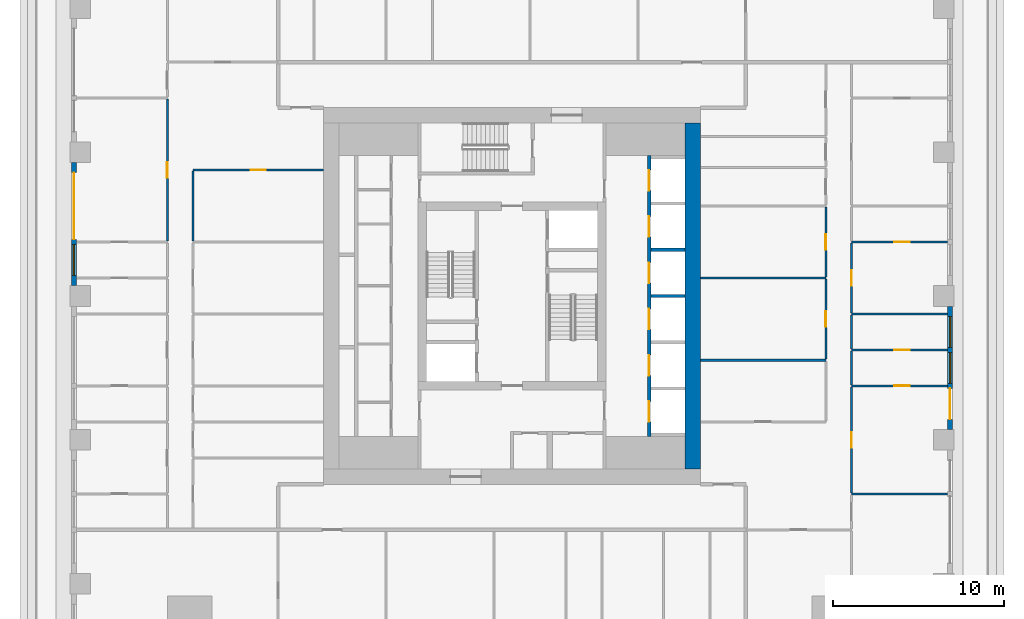
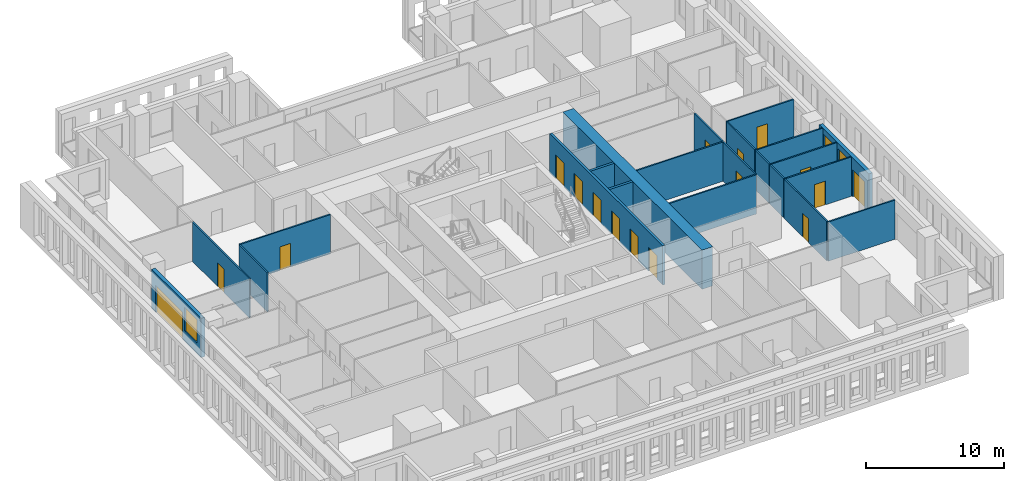
# One storey, part 6 of 16: 22 walls, 17 doors, 3 windows, 20 openings.
"""IFC4 building model written with IfcOpenShell, lengths in metres."""

from ifc_helpers import new_model, si_unit, direction, frame, frame_2d, origin, place, context, subcontext, project, spatial, rectangle, extrude, material, layer, layer_set, type_object, element, fill, save


model = new_model("IFC4")

# Units and contexts
model_context = context("Model", 3, precision=1e-05, world=origin(), true_north=direction((0.0, 1.0)))
body_context = subcontext(model_context, "Body", "Model", "MODEL_VIEW")
ifc_project = project(units=[si_unit("LENGTHUNIT", "METRE"), si_unit("AREAUNIT", "SQUARE_METRE"), si_unit("VOLUMEUNIT", "CUBIC_METRE"), si_unit("PLANEANGLEUNIT", "RADIAN"), si_unit("MASSUNIT", "GRAM", prefix="KILO")], contexts=[model_context])

# Site, building, storey
site_placement = place(None, origin())
site = spatial("IfcSite", under=ifc_project, at=site_placement, CompositionType="ELEMENT")
building_placement = place(site_placement, origin())
building = spatial("IfcBuilding", under=site, at=building_placement, Name="Khepri Terraces", CompositionType="ELEMENT")
storey_placement = place(building_placement, frame((0.0, 0.0, 153.300048828125)))
storey = spatial("IfcBuildingStorey", under=building, at=storey_placement, Name="L36", CompositionType="ELEMENT", Elevation=153.300048828125)

# Wall, openings, doors
ifc_material_1 = material(Name="Concrete C60/75", Category="concrete")
ifc_layer_1 = layer(ifc_material_1, 0.199951171875, Name="Concrete C60/75", Category="concrete")
ifc_layer_set_1 = layer_set([ifc_layer_1], Name="Concrete C60/75")
wall_type_1 = type_object("IfcWallType", Name="Core wall 200 C60/75", PredefinedType="SHEAR", material=ifc_layer_set_1)
wall_1_placement = place(storey_placement, frame((8.0, -8.199951171875, 0.0), z_axis=(0.0, 0.0, 1.0), x_axis=(0.0, 1.0, 0.0)))
wall_1 = element("IfcWall", 1, at=wall_1_placement, inside=storey, type_object=wall_type_1, Name="Core wall SH02 L36", PredefinedType="SHEAR", context=body_context, shape_type="SweptSolid", body=[
    extrude(rectangle(XDim=16.39990234375, YDim=0.199951171875, at=frame_2d((8.199951171875, 0.0))), origin(), (0.0, 0.0, 1.0), 3.47998046875),
])
opening_1_placement = place(wall_1_placement, frame((0.85009765625, 0.0, 0.0)))
opening_1 = element("IfcOpeningElement", 2, at=opening_1_placement, cuts=wall_1, Name="Opening L36-C01", PredefinedType="OPENING", context=body_context, shape_type="SweptSolid", body=[
    extrude(rectangle(XDim=1.199951171875, YDim=2.10009765625, at=frame_2d((0.60009765625, 1.050048828125))), frame((0.0, 0.10986328125, 0.0), z_axis=(0.0, -1.0, 0.0), x_axis=(1.0, 0.0, 0.0)), (0.0, 0.0, 1.0), 0.219970703125),
])
opening_2_placement = place(wall_1_placement, frame((3.550048828125, 0.0, 0.0)))
opening_2 = element("IfcOpeningElement", 3, at=opening_2_placement, cuts=wall_1, Name="Opening L36-C02", PredefinedType="OPENING", context=body_context, shape_type="SweptSolid", body=[
    extrude(rectangle(XDim=1.199951171875, YDim=2.10009765625, at=frame_2d((0.60009765625, 1.050048828125))), frame((0.0, 0.10986328125, 0.0), z_axis=(0.0, -1.0, 0.0), x_axis=(1.0, 0.0, 0.0)), (0.0, 0.0, 1.0), 0.219970703125),
])
opening_3_placement = place(wall_1_placement, frame((6.25, 0.0, 0.0)))
opening_3 = element("IfcOpeningElement", 4, at=opening_3_placement, cuts=wall_1, Name="Opening L36-C03", PredefinedType="OPENING", context=body_context, shape_type="SweptSolid", body=[
    extrude(rectangle(XDim=1.199951171875, YDim=2.10009765625, at=frame_2d((0.60009765625, 1.050048828125))), frame((0.0, 0.10986328125, 0.0), z_axis=(0.0, -1.0, 0.0), x_axis=(1.0, 0.0, 0.0)), (0.0, 0.0, 1.0), 0.219970703125),
])
opening_4_placement = place(wall_1_placement, frame((8.949951171875, 0.0, 0.0)))
opening_4 = element("IfcOpeningElement", 5, at=opening_4_placement, cuts=wall_1, Name="Opening L36-C04", PredefinedType="OPENING", context=body_context, shape_type="SweptSolid", body=[
    extrude(rectangle(XDim=1.199951171875, YDim=2.10009765625, at=frame_2d((0.60009765625, 1.050048828125))), frame((0.0, 0.10986328125, 0.0), z_axis=(0.0, -1.0, 0.0), x_axis=(1.0, 0.0, 0.0)), (0.0, 0.0, 1.0), 0.219970703125),
])
opening_5_placement = place(wall_1_placement, frame((11.64990234375, 0.0, 0.0)))
opening_5 = element("IfcOpeningElement", 6, at=opening_5_placement, cuts=wall_1, Name="Opening L36-C05", PredefinedType="OPENING", context=body_context, shape_type="SweptSolid", body=[
    extrude(rectangle(XDim=1.199951171875, YDim=2.10009765625, at=frame_2d((0.60009765625, 1.050048828125))), frame((0.0, 0.10986328125, 0.0), z_axis=(0.0, -1.0, 0.0), x_axis=(1.0, 0.0, 0.0)), (0.0, 0.0, 1.0), 0.219970703125),
])
opening_6_placement = place(wall_1_placement, frame((14.35009765625, 0.0, 0.0)))
opening_6 = element("IfcOpeningElement", 7, at=opening_6_placement, cuts=wall_1, Name="Opening L36-C06", PredefinedType="OPENING", context=body_context, shape_type="SweptSolid", body=[
    extrude(rectangle(XDim=1.199951171875, YDim=2.10009765625, at=frame_2d((0.60009765625, 1.050048828125))), frame((0.0, 0.10986328125, 0.0), z_axis=(0.0, -1.0, 0.0), x_axis=(1.0, 0.0, 0.0)), (0.0, 0.0, 1.0), 0.219970703125),
])
ifc_material_2 = material(Name="Stainless steel 304", Category="steel")
door_type_1 = type_object("IfcDoorType", Name="DR-CORE-LANDING-1200", OperationType="NOTDEFINED", PredefinedType="DOOR", material=ifc_material_2)
door_1_placement = place(opening_1_placement, origin())
door_1 = element("IfcDoor", 8, at=door_1_placement, inside=storey, type_object=door_type_1, Name="Lift landing door L36-C01", OperationType="SLIDING_TO_LEFT", OverallHeight=2.10009765625, OverallWidth=1.199951171875, PredefinedType="DOOR", context=body_context, shape_type="SweptSolid", body=[
    extrude(rectangle(XDim=1.199951171875, YDim=2.10009765625, at=frame_2d((0.60009765625, 1.050048828125))), frame((0.0, 0.02490234375, 0.0), z_axis=(0.0, -1.0, 0.0), x_axis=(1.0, 0.0, 0.0)), (0.0, 0.0, 1.0), 0.050048828125),
])
fill(opening_1, door_1)
door_2_placement = place(opening_2_placement, origin())
door_2 = element("IfcDoor", 9, at=door_2_placement, inside=storey, type_object=door_type_1, Name="Lift landing door L36-C02", OperationType="SLIDING_TO_LEFT", OverallHeight=2.10009765625, OverallWidth=1.199951171875, PredefinedType="DOOR", context=body_context, shape_type="SweptSolid", body=[
    extrude(rectangle(XDim=1.199951171875, YDim=2.10009765625, at=frame_2d((0.60009765625, 1.050048828125))), frame((0.0, 0.02490234375, 0.0), z_axis=(0.0, -1.0, 0.0), x_axis=(1.0, 0.0, 0.0)), (0.0, 0.0, 1.0), 0.050048828125),
])
fill(opening_2, door_2)
door_3_placement = place(opening_3_placement, origin())
door_3 = element("IfcDoor", 10, at=door_3_placement, inside=storey, type_object=door_type_1, Name="Lift landing door L36-C03", OperationType="SLIDING_TO_LEFT", OverallHeight=2.10009765625, OverallWidth=1.199951171875, PredefinedType="DOOR", context=body_context, shape_type="SweptSolid", body=[
    extrude(rectangle(XDim=1.199951171875, YDim=2.10009765625, at=frame_2d((0.60009765625, 1.050048828125))), frame((0.0, 0.02490234375, 0.0), z_axis=(0.0, -1.0, 0.0), x_axis=(1.0, 0.0, 0.0)), (0.0, 0.0, 1.0), 0.050048828125),
])
fill(opening_3, door_3)
door_4_placement = place(opening_4_placement, origin())
door_4 = element("IfcDoor", 11, at=door_4_placement, inside=storey, type_object=door_type_1, Name="Lift landing door L36-C04", OperationType="SLIDING_TO_LEFT", OverallHeight=2.10009765625, OverallWidth=1.199951171875, PredefinedType="DOOR", context=body_context, shape_type="SweptSolid", body=[
    extrude(rectangle(XDim=1.199951171875, YDim=2.10009765625, at=frame_2d((0.60009765625, 1.050048828125))), frame((0.0, 0.02490234375, 0.0), z_axis=(0.0, -1.0, 0.0), x_axis=(1.0, 0.0, 0.0)), (0.0, 0.0, 1.0), 0.050048828125),
])
fill(opening_4, door_4)
door_5_placement = place(opening_5_placement, origin())
door_5 = element("IfcDoor", 12, at=door_5_placement, inside=storey, type_object=door_type_1, Name="Lift landing door L36-C05", OperationType="SLIDING_TO_LEFT", OverallHeight=2.10009765625, OverallWidth=1.199951171875, PredefinedType="DOOR", context=body_context, shape_type="SweptSolid", body=[
    extrude(rectangle(XDim=1.199951171875, YDim=2.10009765625, at=frame_2d((0.60009765625, 1.050048828125))), frame((0.0, 0.02490234375, 0.0), z_axis=(0.0, -1.0, 0.0), x_axis=(1.0, 0.0, 0.0)), (0.0, 0.0, 1.0), 0.050048828125),
])
fill(opening_5, door_5)
door_6_placement = place(opening_6_placement, origin())
door_6 = element("IfcDoor", 13, at=door_6_placement, inside=storey, type_object=door_type_1, Name="Lift landing door L36-C06", OperationType="SLIDING_TO_LEFT", OverallHeight=2.10009765625, OverallWidth=1.199951171875, PredefinedType="DOOR", context=body_context, shape_type="SweptSolid", body=[
    extrude(rectangle(XDim=1.199951171875, YDim=2.10009765625, at=frame_2d((0.60009765625, 1.050048828125))), frame((0.0, 0.02490234375, 0.0), z_axis=(0.0, -1.0, 0.0), x_axis=(1.0, 0.0, 0.0)), (0.0, 0.0, 1.0), 0.050048828125),
])
fill(opening_6, door_6)

# Walls
for number, where, z_axis, x_axis, name in (
    (14, (8.10009765625, 0.0, 0.0), (0.0, 0.0, 1.0), (1.0, 0.0, 0.0), "Core wall SH09 L36"),
    (15, (8.10009765625, 2.699951171875, 0.0), (0.0, 0.0, 1.0), (1.0, 0.0, 0.0), "Core wall SH13 L36"),
):
    element("IfcWall", number, at=place(storey_placement, frame(where, z_axis=z_axis, x_axis=x_axis)), inside=storey, type_object=wall_type_1, Name=name, PredefinedType="SHEAR", context=body_context, shape_type="SweptSolid", body=[
        extrude(rectangle(XDim=2.0, YDim=0.199951171875, at=frame_2d((1.0, 0.0))), origin(), (0.0, 0.0, 1.0), 3.47998046875),
    ])
ifc_layer_2 = layer(ifc_material_1, 0.89990234375, Name="Concrete C60/75", Category="concrete")
ifc_layer_set_2 = layer_set([ifc_layer_2], Name="Concrete C60/75")
wall_type_2 = type_object("IfcWallType", Name="Core wall 900 C60/75", PredefinedType="SHEAR", material=ifc_layer_set_2)
wall_2_placement = place(storey_placement, frame((10.550048828125, -10.10009765625, 0.0), z_axis=(0.0, 0.0, 1.0), x_axis=(0.0, 1.0, 0.0)))
element("IfcWall", 16, at=wall_2_placement, inside=storey, type_object=wall_type_2, Name="Core wall OW-E L36", PredefinedType="SHEAR", context=body_context, shape_type="SweptSolid", body=[
    extrude(rectangle(XDim=20.2001953125, YDim=0.89990234375, at=frame_2d((10.10009765625, 0.0))), origin(), (0.0, 0.0, 1.0), 3.47998046875),
])

# Wall, openings, door, windows
ifc_material_3 = material(Name="Precast concrete C50/60 warm stone", Category="masonry")
ifc_layer_3 = layer(ifc_material_3, 0.300048828125, Name="Precast concrete C50/60 warm stone", Category="masonry")
ifc_layer_set_3 = layer_set([ifc_layer_3], Name="Precast concrete C50/60 warm stone")
wall_type_3 = type_object("IfcWallType", Name="WL-EXT-PRECAST-300", PredefinedType="STANDARD", material=ifc_layer_set_3)
wall_3_placement = place(storey_placement, frame((25.570068359375, -7.800048828125, 0.0), z_axis=(0.0, 0.0, 1.0), x_axis=(0.0, 1.0, 0.0)))
wall_3 = element("IfcWall", 17, at=wall_3_placement, inside=storey, type_object=wall_type_3, Name="External wall L36 E", PredefinedType="STANDARD", context=body_context, shape_type="SweptSolid", body=[
    extrude(rectangle(XDim=7.199951171875, YDim=0.300048828125, at=frame_2d((3.60009765625, 0.0))), origin(), (0.0, 0.0, 1.0), 3.47998046875),
])
opening_7_placement = place(wall_3_placement, frame((0.60009765625, 0.0, 0.0)))
opening_7 = element("IfcOpeningElement", 18, at=opening_7_placement, cuts=wall_3, Name="Opening ED-L36-04", PredefinedType="OPENING", context=body_context, shape_type="SweptSolid", body=[
    extrude(rectangle(XDim=1.800048828125, YDim=2.39990234375, at=frame_2d((0.89990234375, 1.199951171875))), frame((0.0, 0.16015625, 0.0), z_axis=(0.0, -1.0, 0.0), x_axis=(1.0, 0.0, 0.0)), (0.0, 0.0, 1.0), 0.320068359375),
])
opening_8_placement = place(wall_3_placement, frame((2.699951171875, 0.0, 0.89990234375)))
opening_8 = element("IfcOpeningElement", 19, at=opening_8_placement, cuts=wall_3, Name="Opening W1", PredefinedType="OPENING", context=body_context, shape_type="SweptSolid", body=[
    extrude(rectangle(XDim=1.800048828125, YDim=2.10009765625, at=frame_2d((0.89990234375, 1.050048828125))), frame((0.0, 0.16015625, 0.0), z_axis=(0.0, -1.0, 0.0), x_axis=(1.0, 0.0, 0.0)), (0.0, 0.0, 1.0), 0.320068359375),
])
opening_9_placement = place(wall_3_placement, frame((4.800048828125, 0.0, 0.89990234375)))
opening_9 = element("IfcOpeningElement", 20, at=opening_9_placement, cuts=wall_3, Name="Opening W1", PredefinedType="OPENING", context=body_context, shape_type="SweptSolid", body=[
    extrude(rectangle(XDim=1.800048828125, YDim=2.10009765625, at=frame_2d((0.89990234375, 1.050048828125))), frame((0.0, 0.16015625, 0.0), z_axis=(0.0, -1.0, 0.0), x_axis=(1.0, 0.0, 0.0)), (0.0, 0.0, 1.0), 0.320068359375),
])
ifc_material_4 = material(Name="Anodised aluminium bronze glazed door", Category="aluminium")
door_type_2 = type_object("IfcDoorType", Name="DR-BAL-SLIDE-1800x2400", OperationType="NOTDEFINED", PredefinedType="DOOR", material=ifc_material_4)
door_7_placement = place(opening_7_placement, origin())
door_7 = element("IfcDoor", 21, at=door_7_placement, inside=storey, type_object=door_type_2, Name="Balcony door L36 E", OperationType="SLIDING_TO_LEFT", OverallHeight=2.39990234375, OverallWidth=1.800048828125, PredefinedType="DOOR", context=body_context, shape_type="SweptSolid", body=[
    extrude(rectangle(XDim=1.800048828125, YDim=2.39990234375, at=frame_2d((0.89990234375, 1.199951171875))), frame((0.0, 0.02490234375, 0.0), z_axis=(0.0, -1.0, 0.0), x_axis=(1.0, 0.0, 0.0)), (0.0, 0.0, 1.0), 0.050048828125),
])
fill(opening_7, door_7)
ifc_material_5 = material(Name="Clear glass", Category="glass")
window_type = type_object("IfcWindowType", Name="WIN-RES-1800x2100", PartitioningType="SINGLE_PANEL", PredefinedType="WINDOW", material=ifc_material_5)
window_1_placement = place(opening_8_placement, origin())
window_1 = element("IfcWindow", 22, at=window_1_placement, inside=storey, type_object=window_type, Name="Window L36 E", OverallHeight=2.10009765625, OverallWidth=1.800048828125, PartitioningType="SINGLE_PANEL", PredefinedType="WINDOW", context=body_context, shape_type="SweptSolid", body=[
    extrude(rectangle(XDim=1.800048828125, YDim=2.10009765625, at=frame_2d((0.89990234375, 1.050048828125))), frame((0.0, 0.030029296875, 0.0), z_axis=(0.0, -1.0, 0.0), x_axis=(1.0, 0.0, 0.0)), (0.0, 0.0, 1.0), 0.06005859375),
])
fill(opening_8, window_1)
window_2_placement = place(opening_9_placement, origin())
window_2 = element("IfcWindow", 23, at=window_2_placement, inside=storey, type_object=window_type, Name="Window L36 E", OverallHeight=2.10009765625, OverallWidth=1.800048828125, PartitioningType="SINGLE_PANEL", PredefinedType="WINDOW", context=body_context, shape_type="SweptSolid", body=[
    extrude(rectangle(XDim=1.800048828125, YDim=2.10009765625, at=frame_2d((0.89990234375, 1.050048828125))), frame((0.0, 0.030029296875, 0.0), z_axis=(0.0, -1.0, 0.0), x_axis=(1.0, 0.0, 0.0)), (0.0, 0.0, 1.0), 0.06005859375),
])
fill(opening_9, window_2)

# Wall, openings, door, window
wall_4_placement = place(storey_placement, frame((-25.570068359375, 7.800048828125, 0.0), z_axis=(0.0, 0.0, 1.0), x_axis=(0.0, -1.0, 0.0)))
wall_4 = element("IfcWall", 24, at=wall_4_placement, inside=storey, type_object=wall_type_3, Name="External wall L36 W", PredefinedType="STANDARD", context=body_context, shape_type="SweptSolid", body=[
    extrude(rectangle(XDim=7.199951171875, YDim=0.300048828125, at=frame_2d((3.60009765625, 0.0))), origin(), (0.0, 0.0, 1.0), 3.47998046875),
])
opening_10_placement = place(wall_4_placement, frame((0.60009765625, 0.0, 0.0)))
opening_10 = element("IfcOpeningElement", 25, at=opening_10_placement, cuts=wall_4, Name="Opening ED-L36-12", PredefinedType="OPENING", context=body_context, shape_type="SweptSolid", body=[
    extrude(rectangle(XDim=3.89990234375, YDim=2.39990234375, at=frame_2d((1.949951171875, 1.199951171875))), frame((0.0, 0.16015625, 0.0), z_axis=(0.0, -1.0, 0.0), x_axis=(1.0, 0.0, 0.0)), (0.0, 0.0, 1.0), 0.320068359375),
])
opening_11_placement = place(wall_4_placement, frame((4.800048828125, 0.0, 0.89990234375)))
opening_11 = element("IfcOpeningElement", 26, at=opening_11_placement, cuts=wall_4, Name="Opening W1", PredefinedType="OPENING", context=body_context, shape_type="SweptSolid", body=[
    extrude(rectangle(XDim=1.800048828125, YDim=2.10009765625, at=frame_2d((0.89990234375, 1.050048828125))), frame((0.0, 0.16015625, 0.0), z_axis=(0.0, -1.0, 0.0), x_axis=(1.0, 0.0, 0.0)), (0.0, 0.0, 1.0), 0.320068359375),
])
door_type_3 = type_object("IfcDoorType", Name="DR-BAL-SLIDE-3900x2400", OperationType="NOTDEFINED", PredefinedType="DOOR", material=ifc_material_4)
door_8_placement = place(opening_10_placement, origin())
door_8 = element("IfcDoor", 27, at=door_8_placement, inside=storey, type_object=door_type_3, Name="Balcony door L36 W", OperationType="SLIDING_TO_LEFT", OverallHeight=2.39990234375, OverallWidth=3.89990234375, PredefinedType="DOOR", context=body_context, shape_type="SweptSolid", body=[
    extrude(rectangle(XDim=3.89990234375, YDim=2.39990234375, at=frame_2d((1.949951171875, 1.199951171875))), frame((0.0, 0.02490234375, 0.0), z_axis=(0.0, -1.0, 0.0), x_axis=(1.0, 0.0, 0.0)), (0.0, 0.0, 1.0), 0.050048828125),
])
fill(opening_10, door_8)
window_3_placement = place(opening_11_placement, origin())
window_3 = element("IfcWindow", 28, at=window_3_placement, inside=storey, type_object=window_type, Name="Window L36 W", OverallHeight=2.10009765625, OverallWidth=1.800048828125, PartitioningType="SINGLE_PANEL", PredefinedType="WINDOW", context=body_context, shape_type="SweptSolid", body=[
    extrude(rectangle(XDim=1.800048828125, YDim=2.10009765625, at=frame_2d((0.89990234375, 1.050048828125))), frame((0.0, 0.030029296875, 0.0), z_axis=(0.0, -1.0, 0.0), x_axis=(1.0, 0.0, 0.0)), (0.0, 0.0, 1.0), 0.06005859375),
])
fill(opening_11, window_3)

# Wall
ifc_material_6 = material(Name="Gypsum plasterboard partition")
ifc_layer_4 = layer(ifc_material_6, 0.1201171875, Name="Gypsum plasterboard partition")
ifc_layer_set_4 = layer_set([ifc_layer_4], Name="Gypsum plasterboard partition")
wall_type_4 = type_object("IfcWallType", Name="WL-PART-120", PredefinedType="PARTITIONING", material=ifc_layer_set_4)
wall_5_placement = place(storey_placement, frame((19.820068359375, -11.550048828125, 0.0), z_axis=(0.0, 0.0, 1.0), x_axis=(1.0, 0.0, 0.0)))
element("IfcWall", 29, at=wall_5_placement, inside=storey, type_object=wall_type_4, Name="Partition P-027 L36", PredefinedType="PARTITIONING", context=body_context, shape_type="SweptSolid", body=[
    extrude(rectangle(XDim=5.599853515625, YDim=0.1201171875, at=frame_2d((2.7998046875, 0.0))), origin(), (0.0, 0.0, 1.0), 3.47998046875),
])

# Wall, opening, door
wall_6_placement = place(storey_placement, frame((19.820068359375, -11.489990234375, 0.0), z_axis=(0.0, 0.0, 1.0), x_axis=(0.0, 1.0, 0.0)))
wall_6 = element("IfcWall", 30, at=wall_6_placement, inside=storey, type_object=wall_type_4, Name="Partition P-029 L36", PredefinedType="PARTITIONING", context=body_context, shape_type="SweptSolid", body=[
    extrude(rectangle(XDim=6.179931640625, YDim=0.1201171875, at=frame_2d((3.08984375, 0.0))), origin(), (0.0, 0.0, 1.0), 3.47998046875),
])
opening_12_placement = place(wall_6_placement, frame((2.639892578125, 0.0, 0.0)))
opening_12 = element("IfcOpeningElement", 31, at=opening_12_placement, cuts=wall_6, Name="Opening D3", PredefinedType="OPENING", context=body_context, shape_type="SweptSolid", body=[
    extrude(rectangle(XDim=0.89990234375, YDim=2.10009765625, at=frame_2d((0.449951171875, 1.050048828125))), frame((0.0, 0.070068359375, 0.0), z_axis=(0.0, -1.0, 0.0), x_axis=(1.0, 0.0, 0.0)), (0.0, 0.0, 1.0), 0.14013671875),
])
ifc_material_7 = material(Name="Timber door leaf", Category="wood")
door_type_4 = type_object("IfcDoorType", Name="DR-INT-900", OperationType="NOTDEFINED", PredefinedType="DOOR", material=ifc_material_7)
door_9_placement = place(opening_12_placement, frame((0.89990234375, 0.0, 0.0), z_axis=(0.0, 0.0, 1.0), x_axis=(-1.0, 0.0, 0.0)))
door_9 = element("IfcDoor", 32, at=door_9_placement, inside=storey, type_object=door_type_4, Name="Door Master Bedroom", OperationType="SINGLE_SWING_RIGHT", OverallHeight=2.10009765625, OverallWidth=0.89990234375, PredefinedType="DOOR", context=body_context, shape_type="SweptSolid", body=[
    extrude(rectangle(XDim=0.89990234375, YDim=2.10009765625, at=frame_2d((0.449951171875, 1.050048828125))), frame((0.0, 0.02490234375, 0.0), z_axis=(0.0, -1.0, 0.0), x_axis=(1.0, 0.0, 0.0)), (0.0, 0.0, 1.0), 0.050048828125),
])
fill(opening_12, door_9)

wall_7_placement = place(storey_placement, frame((19.820068359375, -5.25, 0.0), z_axis=(0.0, 0.0, 1.0), x_axis=(1.0, 0.0, 0.0)))
wall_7 = element("IfcWall", 33, at=wall_7_placement, inside=storey, type_object=wall_type_4, Name="Partition P-042 L36", PredefinedType="PARTITIONING", context=body_context, shape_type="SweptSolid", body=[
    extrude(rectangle(XDim=5.599853515625, YDim=0.1201171875, at=frame_2d((2.7998046875, 0.0))), origin(), (0.0, 0.0, 1.0), 3.47998046875),
])
opening_13_placement = place(wall_7_placement, frame((2.5, 0.0, 0.0)))
opening_13 = element("IfcOpeningElement", 34, at=opening_13_placement, cuts=wall_7, Name="Opening D3", PredefinedType="OPENING", context=body_context, shape_type="SweptSolid", body=[
    extrude(rectangle(XDim=0.89990234375, YDim=2.10009765625, at=frame_2d((0.449951171875, 1.050048828125))), frame((0.0, 0.070068359375, 0.0), z_axis=(0.0, -1.0, 0.0), x_axis=(1.0, 0.0, 0.0)), (0.0, 0.0, 1.0), 0.14013671875),
])
door_10_placement = place(opening_13_placement, origin())
door_10 = element("IfcDoor", 35, at=door_10_placement, inside=storey, type_object=door_type_4, Name="Door Dressing Room", OperationType="SINGLE_SWING_RIGHT", OverallHeight=2.10009765625, OverallWidth=0.89990234375, PredefinedType="DOOR", context=body_context, shape_type="SweptSolid", body=[
    extrude(rectangle(XDim=0.89990234375, YDim=2.10009765625, at=frame_2d((0.449951171875, 1.050048828125))), frame((0.0, 0.02490234375, 0.0), z_axis=(0.0, -1.0, 0.0), x_axis=(1.0, 0.0, 0.0)), (0.0, 0.0, 1.0), 0.050048828125),
])
fill(opening_13, door_10)

# Walls
wall_8_placement = place(storey_placement, frame((19.820068359375, -5.18994140625, 0.0), z_axis=(0.0, 0.0, 1.0), x_axis=(0.0, 1.0, 0.0)))
element("IfcWall", 36, at=wall_8_placement, inside=storey, type_object=wall_type_4, Name="Partition P-045 L36", PredefinedType="PARTITIONING", context=body_context, shape_type="SweptSolid", body=[
    extrude(rectangle(XDim=1.97998046875, YDim=0.1201171875, at=frame_2d((0.989990234375, 0.0))), origin(), (0.0, 0.0, 1.0), 3.47998046875),
])
wall_9_placement = place(storey_placement, frame((11.0, -3.75, 0.0), z_axis=(0.0, 0.0, 1.0), x_axis=(1.0, 0.0, 0.0)))
element("IfcWall", 37, at=wall_9_placement, inside=storey, type_object=wall_type_4, Name="Partition P-046 L36", PredefinedType="PARTITIONING", context=body_context, shape_type="SweptSolid", body=[
    extrude(rectangle(XDim=7.320068359375, YDim=0.1201171875, at=frame_2d((3.66015625, 0.0))), origin(), (0.0, 0.0, 1.0), 3.47998046875),
])

# Wall, opening, door
wall_10_placement = place(storey_placement, frame((18.320068359375, -3.68994140625, 0.0), z_axis=(0.0, 0.0, 1.0), x_axis=(0.0, 1.0, 0.0)))
wall_10 = element("IfcWall", 38, at=wall_10_placement, inside=storey, type_object=wall_type_4, Name="Partition P-047 L36", PredefinedType="PARTITIONING", context=body_context, shape_type="SweptSolid", body=[
    extrude(rectangle(XDim=4.679931640625, YDim=0.1201171875, at=frame_2d((2.33984375, 0.0))), origin(), (0.0, 0.0, 1.0), 3.47998046875),
])
opening_14_placement = place(wall_10_placement, frame((1.889892578125, 0.0, 0.0)))
opening_14 = element("IfcOpeningElement", 39, at=opening_14_placement, cuts=wall_10, Name="Opening D3", PredefinedType="OPENING", context=body_context, shape_type="SweptSolid", body=[
    extrude(rectangle(XDim=0.89990234375, YDim=2.10009765625, at=frame_2d((0.449951171875, 1.050048828125))), frame((0.0, 0.070068359375, 0.0), z_axis=(0.0, -1.0, 0.0), x_axis=(1.0, 0.0, 0.0)), (0.0, 0.0, 1.0), 0.14013671875),
])
door_11_placement = place(opening_14_placement, origin())
door_11 = element("IfcDoor", 40, at=door_11_placement, inside=storey, type_object=door_type_4, Name="Door Service Store", OperationType="SINGLE_SWING_RIGHT", OverallHeight=2.10009765625, OverallWidth=0.89990234375, PredefinedType="DOOR", context=body_context, shape_type="SweptSolid", body=[
    extrude(rectangle(XDim=0.89990234375, YDim=2.10009765625, at=frame_2d((0.449951171875, 1.050048828125))), frame((0.0, 0.02490234375, 0.0), z_axis=(0.0, -1.0, 0.0), x_axis=(1.0, 0.0, 0.0)), (0.0, 0.0, 1.0), 0.050048828125),
])
fill(opening_14, door_11)

wall_11_placement = place(storey_placement, frame((19.820068359375, -3.14990234375, 0.0), z_axis=(0.0, 0.0, 1.0), x_axis=(1.0, 0.0, 0.0)))
wall_11 = element("IfcWall", 41, at=wall_11_placement, inside=storey, type_object=wall_type_4, Name="Partition P-048 L36", PredefinedType="PARTITIONING", context=body_context, shape_type="SweptSolid", body=[
    extrude(rectangle(XDim=5.599853515625, YDim=0.1201171875, at=frame_2d((2.7998046875, 0.0))), origin(), (0.0, 0.0, 1.0), 3.47998046875),
])
opening_15_placement = place(wall_11_placement, frame((2.5, 0.0, 0.0)))
opening_15 = element("IfcOpeningElement", 42, at=opening_15_placement, cuts=wall_11, Name="Opening D4", PredefinedType="OPENING", context=body_context, shape_type="SweptSolid", body=[
    extrude(rectangle(XDim=0.89990234375, YDim=2.10009765625, at=frame_2d((0.449951171875, 1.050048828125))), frame((0.0, 0.070068359375, 0.0), z_axis=(0.0, -1.0, 0.0), x_axis=(1.0, 0.0, 0.0)), (0.0, 0.0, 1.0), 0.14013671875),
])
ifc_material_8 = material(Name="Timber door leaf, moisture resistant", Category="wood")
door_type_5 = type_object("IfcDoorType", Name="DR-WET-900", OperationType="NOTDEFINED", PredefinedType="DOOR", material=ifc_material_8)
door_12_placement = place(opening_15_placement, origin())
door_12 = element("IfcDoor", 43, at=door_12_placement, inside=storey, type_object=door_type_5, Name="Door Bathroom", OperationType="SINGLE_SWING_RIGHT", OverallHeight=2.10009765625, OverallWidth=0.89990234375, PredefinedType="DOOR", context=body_context, shape_type="SweptSolid", body=[
    extrude(rectangle(XDim=0.89990234375, YDim=2.10009765625, at=frame_2d((0.449951171875, 1.050048828125))), frame((0.0, 0.02490234375, 0.0), z_axis=(0.0, -1.0, 0.0), x_axis=(1.0, 0.0, 0.0)), (0.0, 0.0, 1.0), 0.050048828125),
])
fill(opening_15, door_12)

# Walls
wall_12_placement = place(storey_placement, frame((19.820068359375, -3.090087890625, 0.0), z_axis=(0.0, 0.0, 1.0), x_axis=(0.0, 1.0, 0.0)))
element("IfcWall", 44, at=wall_12_placement, inside=storey, type_object=wall_type_4, Name="Partition P-049 L36", PredefinedType="PARTITIONING", context=body_context, shape_type="SweptSolid", body=[
    extrude(rectangle(XDim=1.97998046875, YDim=0.1201171875, at=frame_2d((0.989990234375, 0.0))), origin(), (0.0, 0.0, 1.0), 3.47998046875),
])
wall_13_placement = place(storey_placement, frame((19.820068359375, -1.050048828125, 0.0), z_axis=(0.0, 0.0, 1.0), x_axis=(1.0, 0.0, 0.0)))
element("IfcWall", 45, at=wall_13_placement, inside=storey, type_object=wall_type_4, Name="Partition P-052 L36", PredefinedType="PARTITIONING", context=body_context, shape_type="SweptSolid", body=[
    extrude(rectangle(XDim=5.599853515625, YDim=0.1201171875, at=frame_2d((2.7998046875, 0.0))), origin(), (0.0, 0.0, 1.0), 3.47998046875),
])

# Wall, opening, door
wall_14_placement = place(storey_placement, frame((19.820068359375, -0.989990234375, 0.0), z_axis=(0.0, 0.0, 1.0), x_axis=(0.0, 1.0, 0.0)))
wall_14 = element("IfcWall", 46, at=wall_14_placement, inside=storey, type_object=wall_type_4, Name="Partition P-055 L36", PredefinedType="PARTITIONING", context=body_context, shape_type="SweptSolid", body=[
    extrude(rectangle(XDim=4.080078125, YDim=0.1201171875, at=frame_2d((2.0400390625, 0.0))), origin(), (0.0, 0.0, 1.0), 3.47998046875),
])
opening_16_placement = place(wall_14_placement, frame((1.590087890625, 0.0, 0.0)))
opening_16 = element("IfcOpeningElement", 47, at=opening_16_placement, cuts=wall_14, Name="Opening D3", PredefinedType="OPENING", context=body_context, shape_type="SweptSolid", body=[
    extrude(rectangle(XDim=0.89990234375, YDim=2.10009765625, at=frame_2d((0.449951171875, 1.050048828125))), frame((0.0, 0.070068359375, 0.0), z_axis=(0.0, -1.0, 0.0), x_axis=(1.0, 0.0, 0.0)), (0.0, 0.0, 1.0), 0.14013671875),
])
door_13_placement = place(opening_16_placement, frame((0.89990234375, 0.0, 0.0), z_axis=(0.0, 0.0, 1.0), x_axis=(-1.0, 0.0, 0.0)))
door_13 = element("IfcDoor", 48, at=door_13_placement, inside=storey, type_object=door_type_4, Name="Door Bedroom", OperationType="SINGLE_SWING_LEFT", OverallHeight=2.10009765625, OverallWidth=0.89990234375, PredefinedType="DOOR", context=body_context, shape_type="SweptSolid", body=[
    extrude(rectangle(XDim=0.89990234375, YDim=2.10009765625, at=frame_2d((0.449951171875, 1.050048828125))), frame((0.0, 0.02490234375, 0.0), z_axis=(0.0, -1.0, 0.0), x_axis=(1.0, 0.0, 0.0)), (0.0, 0.0, 1.0), 0.050048828125),
])
fill(opening_16, door_13)

# Wall
wall_15_placement = place(storey_placement, frame((11.0, 1.050048828125, 0.0), z_axis=(0.0, 0.0, 1.0), x_axis=(1.0, 0.0, 0.0)))
element("IfcWall", 49, at=wall_15_placement, inside=storey, type_object=wall_type_4, Name="Partition P-057 L36", PredefinedType="PARTITIONING", context=body_context, shape_type="SweptSolid", body=[
    extrude(rectangle(XDim=7.320068359375, YDim=0.1201171875, at=frame_2d((3.66015625, 0.0))), origin(), (0.0, 0.0, 1.0), 3.47998046875),
])

# Wall, opening, door
wall_16_placement = place(storey_placement, frame((18.320068359375, 1.110107421875, 0.0), z_axis=(0.0, 0.0, 1.0), x_axis=(0.0, 1.0, 0.0)))
wall_16 = element("IfcWall", 50, at=wall_16_placement, inside=storey, type_object=wall_type_4, Name="Partition P-059 L36", PredefinedType="PARTITIONING", context=body_context, shape_type="SweptSolid", body=[
    extrude(rectangle(XDim=4.079833984375, YDim=0.1201171875, at=frame_2d((2.0400390625, 0.0))), origin(), (0.0, 0.0, 1.0), 3.47998046875),
])
opening_17_placement = place(wall_16_placement, frame((1.590087890625, 0.0, 0.0)))
opening_17 = element("IfcOpeningElement", 51, at=opening_17_placement, cuts=wall_16, Name="Opening D3", PredefinedType="OPENING", context=body_context, shape_type="SweptSolid", body=[
    extrude(rectangle(XDim=0.89990234375, YDim=2.10009765625, at=frame_2d((0.449951171875, 1.050048828125))), frame((0.0, 0.070068359375, 0.0), z_axis=(0.0, -1.0, 0.0), x_axis=(1.0, 0.0, 0.0)), (0.0, 0.0, 1.0), 0.14013671875),
])
door_14_placement = place(opening_17_placement, origin())
door_14 = element("IfcDoor", 52, at=door_14_placement, inside=storey, type_object=door_type_4, Name="Door Staff Bedroom", OperationType="SINGLE_SWING_RIGHT", OverallHeight=2.10009765625, OverallWidth=0.89990234375, PredefinedType="DOOR", context=body_context, shape_type="SweptSolid", body=[
    extrude(rectangle(XDim=0.89990234375, YDim=2.10009765625, at=frame_2d((0.449951171875, 1.050048828125))), frame((0.0, 0.02490234375, 0.0), z_axis=(0.0, -1.0, 0.0), x_axis=(1.0, 0.0, 0.0)), (0.0, 0.0, 1.0), 0.050048828125),
])
fill(opening_17, door_14)

wall_17_placement = place(storey_placement, frame((19.820068359375, 3.14990234375, 0.0), z_axis=(0.0, 0.0, 1.0), x_axis=(1.0, 0.0, 0.0)))
wall_17 = element("IfcWall", 53, at=wall_17_placement, inside=storey, type_object=wall_type_4, Name="Partition P-062 L36", PredefinedType="PARTITIONING", context=body_context, shape_type="SweptSolid", body=[
    extrude(rectangle(XDim=5.599853515625, YDim=0.1201171875, at=frame_2d((2.7998046875, 0.0))), origin(), (0.0, 0.0, 1.0), 3.47998046875),
])
opening_18_placement = place(wall_17_placement, frame((2.5, 0.0, 0.0)))
opening_18 = element("IfcOpeningElement", 54, at=opening_18_placement, cuts=wall_17, Name="Opening D4", PredefinedType="OPENING", context=body_context, shape_type="SweptSolid", body=[
    extrude(rectangle(XDim=0.89990234375, YDim=2.10009765625, at=frame_2d((0.449951171875, 1.050048828125))), frame((0.0, 0.070068359375, 0.0), z_axis=(0.0, -1.0, 0.0), x_axis=(1.0, 0.0, 0.0)), (0.0, 0.0, 1.0), 0.14013671875),
])
door_15_placement = place(opening_18_placement, origin())
door_15 = element("IfcDoor", 55, at=door_15_placement, inside=storey, type_object=door_type_5, Name="Door Bathroom", OperationType="SINGLE_SWING_RIGHT", OverallHeight=2.10009765625, OverallWidth=0.89990234375, PredefinedType="DOOR", context=body_context, shape_type="SweptSolid", body=[
    extrude(rectangle(XDim=0.89990234375, YDim=2.10009765625, at=frame_2d((0.449951171875, 1.050048828125))), frame((0.0, 0.02490234375, 0.0), z_axis=(0.0, -1.0, 0.0), x_axis=(1.0, 0.0, 0.0)), (0.0, 0.0, 1.0), 0.050048828125),
])
fill(opening_18, door_15)

wall_18_placement = place(storey_placement, frame((-20.1201171875, 3.2099609375, 0.0), z_axis=(0.0, 0.0, 1.0), x_axis=(0.0, 1.0, 0.0)))
wall_18 = element("IfcWall", 56, at=wall_18_placement, inside=storey, type_object=wall_type_4, Name="Partition P-063 L36", PredefinedType="PARTITIONING", context=body_context, shape_type="SweptSolid", body=[
    extrude(rectangle(XDim=8.280029296875, YDim=0.1201171875, at=frame_2d((4.14013671875, 0.0))), origin(), (0.0, 0.0, 1.0), 3.47998046875),
])
opening_19_placement = place(wall_18_placement, frame((3.68994140625, 0.0, 0.0)))
opening_19 = element("IfcOpeningElement", 57, at=opening_19_placement, cuts=wall_18, Name="Opening D3", PredefinedType="OPENING", context=body_context, shape_type="SweptSolid", body=[
    extrude(rectangle(XDim=0.89990234375, YDim=2.10009765625, at=frame_2d((0.449951171875, 1.050048828125))), frame((0.0, 0.070068359375, 0.0), z_axis=(0.0, -1.0, 0.0), x_axis=(1.0, 0.0, 0.0)), (0.0, 0.0, 1.0), 0.14013671875),
])
door_16_placement = place(opening_19_placement, origin())
door_16 = element("IfcDoor", 58, at=door_16_placement, inside=storey, type_object=door_type_4, Name="Door Master Bedroom", OperationType="SINGLE_SWING_RIGHT", OverallHeight=2.10009765625, OverallWidth=0.89990234375, PredefinedType="DOOR", context=body_context, shape_type="SweptSolid", body=[
    extrude(rectangle(XDim=0.89990234375, YDim=2.10009765625, at=frame_2d((0.449951171875, 1.050048828125))), frame((0.0, 0.02490234375, 0.0), z_axis=(0.0, -1.0, 0.0), x_axis=(1.0, 0.0, 0.0)), (0.0, 0.0, 1.0), 0.050048828125),
])
fill(opening_19, door_16)

# Wall
wall_19_placement = place(storey_placement, frame((-18.6201171875, 3.2099609375, 0.0), z_axis=(0.0, 0.0, 1.0), x_axis=(0.0, 1.0, 0.0)))
element("IfcWall", 59, at=wall_19_placement, inside=storey, type_object=wall_type_4, Name="Partition P-064 L36", PredefinedType="PARTITIONING", context=body_context, shape_type="SweptSolid", body=[
    extrude(rectangle(XDim=4.080078125, YDim=0.1201171875, at=frame_2d((2.0400390625, 0.0))), origin(), (0.0, 0.0, 1.0), 3.47998046875),
])

# Wall, opening, door
wall_20_placement = place(storey_placement, frame((-18.6201171875, 7.35009765625, 0.0), z_axis=(0.0, 0.0, 1.0), x_axis=(1.0, 0.0, 0.0)))
wall_20 = element("IfcWall", 60, at=wall_20_placement, inside=storey, type_object=wall_type_4, Name="Partition P-070 L36", PredefinedType="PARTITIONING", context=body_context, shape_type="SweptSolid", body=[
    extrude(rectangle(XDim=7.6201171875, YDim=0.1201171875, at=frame_2d((3.81005859375, 0.0))), origin(), (0.0, 0.0, 1.0), 3.47998046875),
])
opening_20_placement = place(wall_20_placement, frame((3.360107421875, 0.0, 0.0)))
opening_20 = element("IfcOpeningElement", 61, at=opening_20_placement, cuts=wall_20, Name="Opening D3", PredefinedType="OPENING", context=body_context, shape_type="SweptSolid", body=[
    extrude(rectangle(XDim=0.89990234375, YDim=2.10009765625, at=frame_2d((0.449951171875, 1.050048828125))), frame((0.0, 0.070068359375, 0.0), z_axis=(0.0, -1.0, 0.0), x_axis=(1.0, 0.0, 0.0)), (0.0, 0.0, 1.0), 0.14013671875),
])
door_17_placement = place(opening_20_placement, frame((0.89990234375, 0.0, 0.0), z_axis=(0.0, 0.0, 1.0), x_axis=(-1.0, 0.0, 0.0)))
door_17 = element("IfcDoor", 62, at=door_17_placement, inside=storey, type_object=door_type_4, Name="Door Kitchen", OperationType="SINGLE_SWING_LEFT", OverallHeight=2.10009765625, OverallWidth=0.89990234375, PredefinedType="DOOR", context=body_context, shape_type="SweptSolid", body=[
    extrude(rectangle(XDim=0.89990234375, YDim=2.10009765625, at=frame_2d((0.449951171875, 1.050048828125))), frame((0.0, 0.02490234375, 0.0), z_axis=(0.0, -1.0, 0.0), x_axis=(1.0, 0.0, 0.0)), (0.0, 0.0, 1.0), 0.050048828125),
])
fill(opening_20, door_17)

save(model, "model.ifc")
